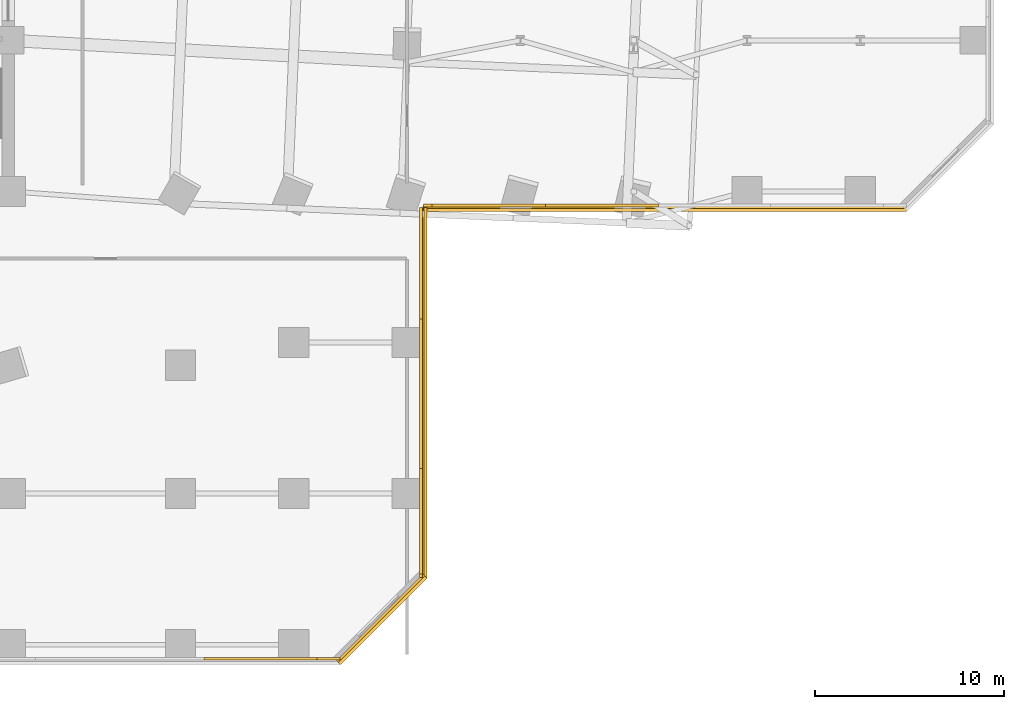
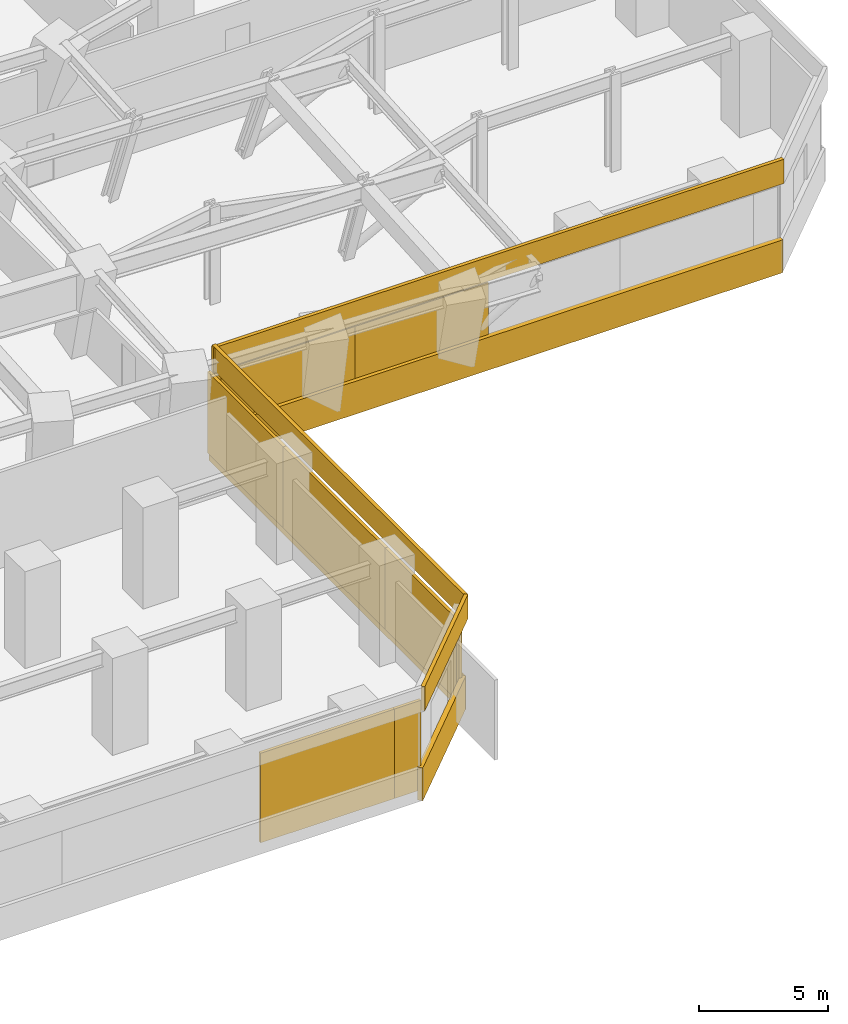
# One storey, part 12 of 14: 15 coverings.
"""IFC4 building model written with IfcOpenShell, lengths in metres."""

from ifc_helpers import new_model, si_unit, direction, frame, origin, origin_2d, place, context, subcontext, project, spatial, rectangle, extrude, source, transform, mapped, material, layer, layer_set, type_object, element, save


model = new_model("IFC4")

# Units and contexts
model_context = context("Model", 3, precision=1e-05, world=origin(), true_north=direction((0.0, 1.0)))
body_context = subcontext(model_context, "Body", "Model", "MODEL_VIEW")
ifc_project = project(units=[si_unit("LENGTHUNIT", "METRE"), si_unit("AREAUNIT", "SQUARE_METRE"), si_unit("VOLUMEUNIT", "CUBIC_METRE"), si_unit("PLANEANGLEUNIT", "RADIAN"), si_unit("MASSUNIT", "GRAM", prefix="KILO")], contexts=[model_context])

# Site, building, storey
site_placement = place(None, origin())
site = spatial("IfcSite", under=ifc_project, at=site_placement, CompositionType="ELEMENT")
building_placement = place(site_placement, origin())
building = spatial("IfcBuilding", under=site, at=building_placement, Name="Torre Montelarca", CompositionType="ELEMENT")
storey_placement = place(building_placement, frame((0.0, 0.0, 28.0)))
storey = spatial("IfcBuildingStorey", under=building, at=storey_placement, Name="L06", CompositionType="ELEMENT", Elevation=28.0)

# Coverings
ifc_material = material(Name="Bush-hammered warm white precast concrete C45/55", Category="concrete")
ifc_layer = layer(ifc_material, 0.139892578125, Name="Bush-hammered warm white precast concrete C45/55", Category="concrete")
ifc_layer_set = layer_set([ifc_layer], Name="Bush-hammered warm white precast concrete C45/55")
covering_type = type_object("IfcCoveringType", Name="COV-TRAY-CLAD", PredefinedType="CLADDING", material=ifc_layer_set)
shared_shape_1 = source(origin(), body_context, "Body", "SweptSolid", [
    extrude(rectangle(XDim=6.48388671875, YDim=0.219970703125, at=origin_2d()), origin(), (0.0, 0.0, 1.0), 1.56005859375),
])
covering_1_placement = place(storey_placement, frame((46.62890625, 1.37109375, -0.400146484375), z_axis=(0.0, 0.0, 1.0), x_axis=(0.707106781187, 0.707106781187, 0.0)))
element("IfcCovering", 1, at=covering_1_placement, inside=storey, type_object=covering_type, Name="L06 Architectural White Spandrel Tray Band PODBOT-02", PredefinedType="CLADDING", context=body_context, shape_type="MappedRepresentation", body=[
    mapped(shared_shape_1, transform((0.0, 0.0, 0.0), scale=1.0)),
])
shared_shape_2 = source(origin(), body_context, "Body", "SweptSolid", [
    extrude(rectangle(XDim=19.6201171875, YDim=0.219970703125, at=origin_2d()), origin(), (0.0, 0.0, 1.0), 1.56005859375),
])
covering_2_placement = place(storey_placement, frame((48.8701171875, 13.35009765625, -0.400146484375), z_axis=(0.0, 0.0, 1.0), x_axis=(0.0, 1.0, 0.0)))
element("IfcCovering", 2, at=covering_2_placement, inside=storey, type_object=covering_type, Name="L06 Architectural White Spandrel Tray Band PODBOT-03", PredefinedType="CLADDING", context=body_context, shape_type="MappedRepresentation", body=[
    mapped(shared_shape_2, transform((0.0, 0.0, 0.0), scale=1.0)),
])
shared_shape_3 = source(origin(), body_context, "Body", "SweptSolid", [
    extrude(rectangle(XDim=25.6201171875, YDim=0.219970703125, at=origin_2d()), origin(), (0.0, 0.0, 1.0), 1.56005859375),
])
covering_3_placement = place(storey_placement, frame((61.64990234375, 23.1298828125, -0.400146484375), z_axis=(0.0, 0.0, 1.0), x_axis=(1.0, 0.0, 0.0)))
element("IfcCovering", 3, at=covering_3_placement, inside=storey, type_object=covering_type, Name="L06 Architectural White Spandrel Tray Band PODBOT-04", PredefinedType="CLADDING", context=body_context, shape_type="MappedRepresentation", body=[
    mapped(shared_shape_3, transform((0.0, 0.0, 0.0), scale=1.0)),
])
shared_shape_4 = source(origin(), body_context, "Body", "SweptSolid", [
    extrude(rectangle(XDim=6.080078125, YDim=0.139892578125, at=origin_2d()), origin(), (0.0, 0.0, 1.0), 4.25),
])
covering_4_placement = place(storey_placement, frame((40.280029296875, -0.739990234375, 0.0), z_axis=(0.0, 0.0, 1.0), x_axis=(1.0, 0.0, 0.0)))
element("IfcCovering", 4, at=covering_4_placement, inside=storey, type_object=covering_type, Name="L06 Architectural Column Pier Cladding E01-6", PredefinedType="CLADDING", context=body_context, shape_type="MappedRepresentation", body=[
    mapped(shared_shape_4, transform((0.0, 0.0, 0.0), scale=1.0)),
])
shared_shape_5 = source(origin(), body_context, "Body", "SweptSolid", [
    extrude(rectangle(XDim=1.199951171875, YDim=0.139892578125, at=origin_2d()), origin(), (0.0, 0.0, 1.0), 4.25),
])
covering_5_placement = place(storey_placement, frame((43.840087890625, -0.739990234375, 0.0), z_axis=(0.0, 0.0, 1.0), x_axis=(1.0, 0.0, 0.0)))
element("IfcCovering", 5, at=covering_5_placement, inside=storey, type_object=covering_type, Name="L06 Architectural Column Pier Cladding E01-7", PredefinedType="CLADDING", context=body_context, shape_type="MappedRepresentation", body=[
    mapped(shared_shape_5, transform((0.0, 0.0, 0.0), scale=1.0)),
])
shared_shape_6 = source(origin(), body_context, "Body", "SweptSolid", [
    extrude(rectangle(XDim=0.179931640625, YDim=0.139892578125, at=origin_2d()), origin(), (0.0, 0.0, 1.0), 3.863037109375),
])
covering_6_placement = place(storey_placement, frame((48.739990234375, 3.64990234375, 0.0), z_axis=(0.0, 0.0, 1.0), x_axis=(0.0, 1.0, 0.0)))
element("IfcCovering", 6, at=covering_6_placement, inside=storey, type_object=covering_type, Name="L06 Architectural Column Pier Cladding E03-1", PredefinedType="CLADDING", context=body_context, shape_type="MappedRepresentation", body=[
    mapped(shared_shape_6, transform((0.0, 0.0, 0.0), scale=1.0)),
])
shared_shape_7 = source(origin(), body_context, "Body", "SweptSolid", [
    extrude(rectangle(XDim=5.659912109375, YDim=0.139892578125, at=origin_2d()), origin(), (0.0, 0.0, 1.0), 3.863037109375),
])
covering_7_placement = place(storey_placement, frame((48.739990234375, 6.489990234375, 0.0), z_axis=(0.0, 0.0, 1.0), x_axis=(0.0, 1.0, 0.0)))
element("IfcCovering", 7, at=covering_7_placement, inside=storey, type_object=covering_type, Name="L06 Architectural Column Pier Cladding E03-2", PredefinedType="CLADDING", context=body_context, shape_type="MappedRepresentation", body=[
    mapped(shared_shape_7, transform((0.0, 0.0, 0.0), scale=1.0)),
])
shared_shape_8 = source(origin(), body_context, "Body", "SweptSolid", [
    extrude(rectangle(XDim=8.080078125, YDim=0.139892578125, at=origin_2d()), origin(), (0.0, 0.0, 1.0), 3.863037109375),
])
covering_8_placement = place(storey_placement, frame((48.739990234375, 13.280029296875, 0.0), z_axis=(0.0, 0.0, 1.0), x_axis=(0.0, 1.0, 0.0)))
element("IfcCovering", 8, at=covering_8_placement, inside=storey, type_object=covering_type, Name="L06 Architectural Column Pier Cladding E03-3", PredefinedType="CLADDING", context=body_context, shape_type="MappedRepresentation", body=[
    mapped(shared_shape_8, transform((0.0, 0.0, 0.0), scale=1.0)),
])
shared_shape_9 = source(origin(), body_context, "Body", "SweptSolid", [
    extrude(rectangle(XDim=5.89990234375, YDim=0.139892578125, at=origin_2d()), origin(), (0.0, 0.0, 1.0), 3.863037109375),
])
covering_9_placement = place(storey_placement, frame((48.739990234375, 20.18994140625, 0.0), z_axis=(0.0, 0.0, 1.0), x_axis=(0.0, 1.0, 0.0)))
element("IfcCovering", 9, at=covering_9_placement, inside=storey, type_object=covering_type, Name="L06 Architectural Column Pier Cladding E03-4", PredefinedType="CLADDING", context=body_context, shape_type="MappedRepresentation", body=[
    mapped(shared_shape_9, transform((0.0, 0.0, 0.0), scale=1.0)),
])
shared_shape_10 = source(origin(), body_context, "Body", "SweptSolid", [
    extrude(rectangle(XDim=0.4599609375, YDim=0.139892578125, at=origin_2d()), origin(), (0.0, 0.0, 1.0), 3.635009765625),
])
covering_10_placement = place(storey_placement, frame((49.090087890625, 23.260009765625, 0.0), z_axis=(0.0, 0.0, 1.0), x_axis=(1.0, 0.0, 0.0)))
element("IfcCovering", 10, at=covering_10_placement, inside=storey, type_object=covering_type, Name="L06 Architectural Column Pier Cladding E04-1", PredefinedType="CLADDING", context=body_context, shape_type="MappedRepresentation", body=[
    mapped(shared_shape_10, transform((0.0, 0.0, 0.0), scale=1.0)),
])
shared_shape_11 = source(origin(), body_context, "Body", "SweptSolid", [
    extrude(rectangle(XDim=6.080078125, YDim=0.139892578125, at=origin_2d()), origin(), (0.0, 0.0, 1.0), 3.635009765625),
])
for number, where, z_axis, x_axis, name in (
    (11, (52.280029296875, 23.260009765625, 0.0), (0.0, 0.0, 1.0), (1.0, 0.0, 0.0), "L06 Architectural Column Pier Cladding E04-2"),
    (12, (58.280029296875, 23.260009765625, 0.0), (0.0, 0.0, 1.0), (1.0, 0.0, 0.0), "L06 Architectural Column Pier Cladding E04-3"),
):
    element("IfcCovering", number, at=place(storey_placement, frame(where, z_axis=z_axis, x_axis=x_axis)), inside=storey, type_object=covering_type, Name=name, PredefinedType="CLADDING", context=body_context, shape_type="MappedRepresentation", body=[
        mapped(shared_shape_11, transform((0.0, 0.0, 0.0), scale=1.0)),
    ])
shared_shape_12 = source(origin(), body_context, "Body", "SweptSolid", [
    extrude(rectangle(XDim=6.48388671875, YDim=0.159912109375, at=origin_2d()), origin(), (0.0, 0.0, 1.0), 1.14990234375),
])
covering_11_placement = place(storey_placement, frame((46.70654296875, 1.29345703125, 3.885009765625), z_axis=(0.0, 0.0, 1.0), x_axis=(0.707106781187, 0.707106781187, 0.0)))
element("IfcCovering", 13, at=covering_11_placement, inside=storey, type_object=covering_type, Name="L06 Architectural White Spandrel Tray Band SETCORN-02", PredefinedType="CLADDING", context=body_context, shape_type="MappedRepresentation", body=[
    mapped(shared_shape_12, transform((0.0, 0.0, 0.0), scale=1.0)),
])
shared_shape_13 = source(origin(), body_context, "Body", "SweptSolid", [
    extrude(rectangle(XDim=19.6201171875, YDim=0.159912109375, at=origin_2d()), origin(), (0.0, 0.0, 1.0), 1.14990234375),
])
covering_12_placement = place(storey_placement, frame((48.97998046875, 13.35009765625, 3.885009765625), z_axis=(0.0, 0.0, 1.0), x_axis=(0.0, 1.0, 0.0)))
element("IfcCovering", 14, at=covering_12_placement, inside=storey, type_object=covering_type, Name="L06 Architectural White Spandrel Tray Band SETCORN-03", PredefinedType="CLADDING", context=body_context, shape_type="MappedRepresentation", body=[
    mapped(shared_shape_13, transform((0.0, 0.0, 0.0), scale=1.0)),
])
shared_shape_14 = source(origin(), body_context, "Body", "SweptSolid", [
    extrude(rectangle(XDim=25.6201171875, YDim=0.159912109375, at=origin_2d()), origin(), (0.0, 0.0, 1.0), 1.14990234375),
])
covering_13_placement = place(storey_placement, frame((61.64990234375, 23.02001953125, 3.885009765625), z_axis=(0.0, 0.0, 1.0), x_axis=(1.0, 0.0, 0.0)))
element("IfcCovering", 15, at=covering_13_placement, inside=storey, type_object=covering_type, Name="L06 Architectural White Spandrel Tray Band SETCORN-04", PredefinedType="CLADDING", context=body_context, shape_type="MappedRepresentation", body=[
    mapped(shared_shape_14, transform((0.0, 0.0, 0.0), scale=1.0)),
])

save(model, "model.ifc")
